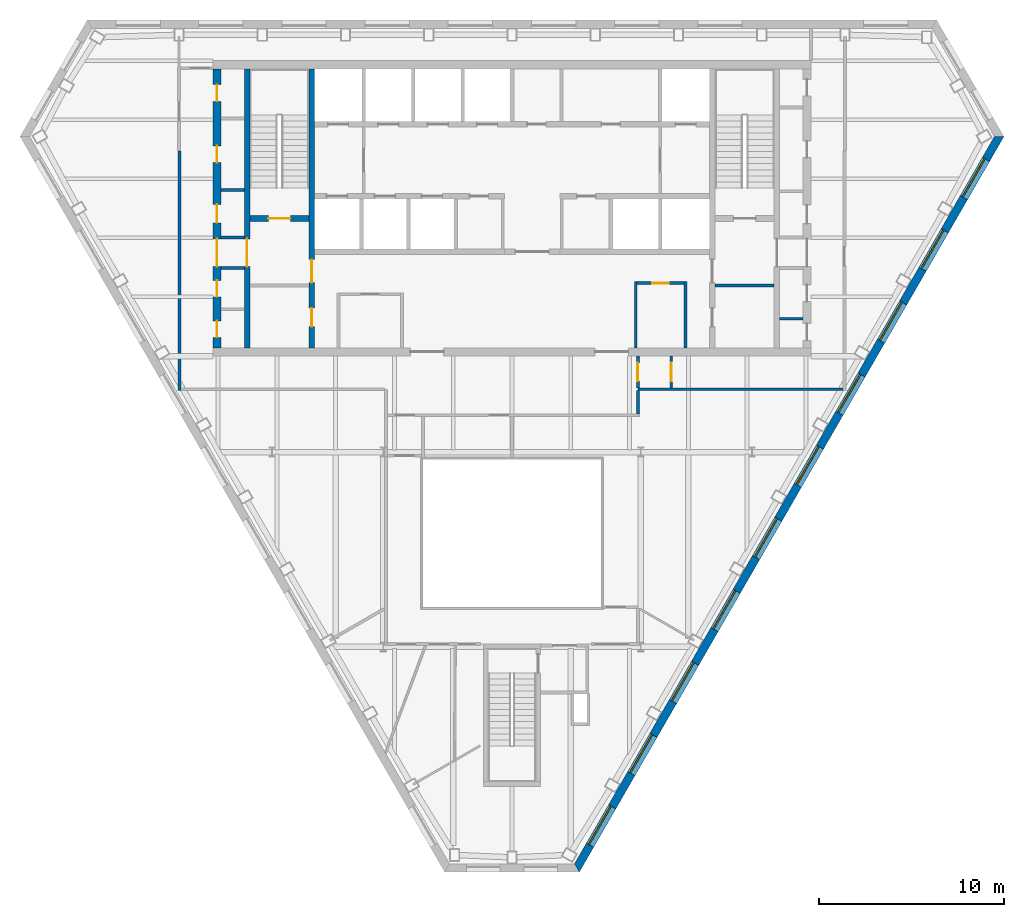
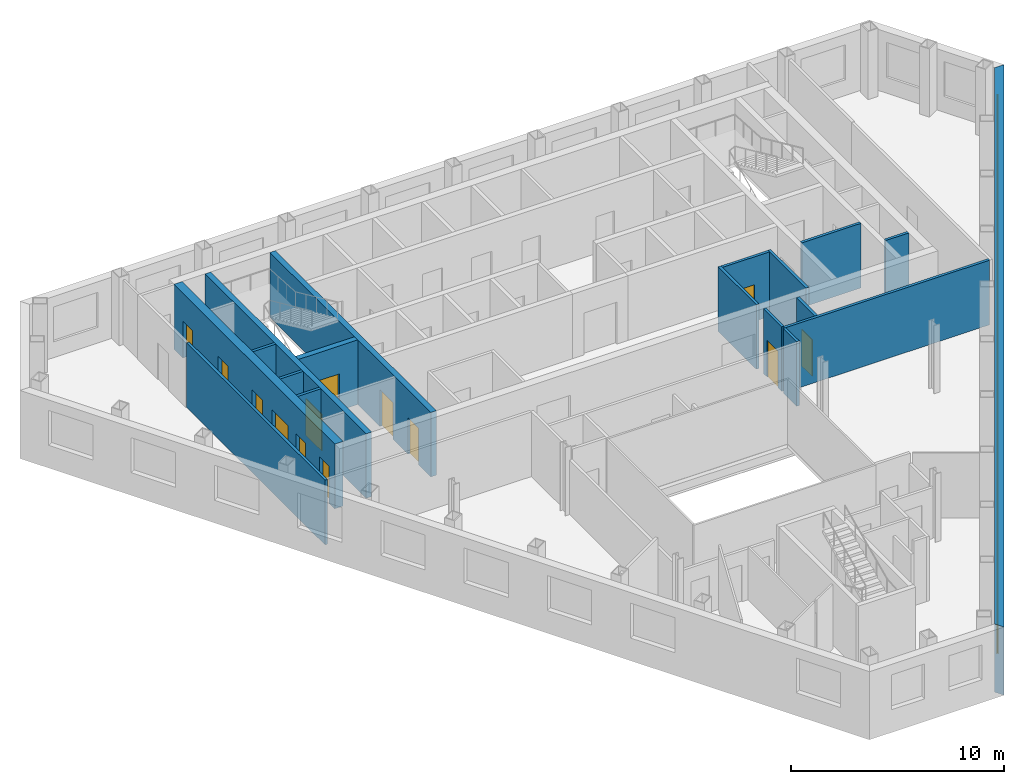
# One storey, part 5 of 11: 18 walls, 13 doors, 10 windows, 23 openings.
"""IFC4 building model written with IfcOpenShell, lengths in metres."""

from ifc_helpers import new_model, si_unit, direction, frame, frame_2d, origin, place, context, subcontext, project, spatial, polyline, rectangle, outline, extrude, material, layer, layer_set, type_object, element, fill, save


model = new_model("IFC4")

# Units and contexts
model_context = context("Model", 3, precision=1e-05, world=origin(), true_north=direction((0.0, 1.0)))
body_context = subcontext(model_context, "Body", "Model", "MODEL_VIEW")
ifc_project = project(units=[si_unit("LENGTHUNIT", "METRE"), si_unit("AREAUNIT", "SQUARE_METRE"), si_unit("VOLUMEUNIT", "CUBIC_METRE"), si_unit("PLANEANGLEUNIT", "RADIAN"), si_unit("MASSUNIT", "GRAM", prefix="KILO")], contexts=[model_context])

# Site, building, storey
site_placement = place(None, origin())
site = spatial("IfcSite", under=ifc_project, at=site_placement, CompositionType="ELEMENT")
building_placement = place(site_placement, origin())
building = spatial("IfcBuilding", under=site, at=building_placement, Name="Njiva Tower", CompositionType="ELEMENT")
storey_placement = place(building_placement, frame((0.0, 0.0, 208.2)))
storey = spatial("IfcBuildingStorey", under=building, at=storey_placement, Name="L46", CompositionType="ELEMENT", Elevation=208.2)

# Walls
ifc_material_1 = material(Name="Blockwork", Category="masonry")
ifc_layer_1 = layer(ifc_material_1, 0.15)
ifc_layer_set_1 = layer_set([ifc_layer_1], Name="Blockwork")
wall_type_1 = type_object("IfcWallType", Name="WT1 Compartment partition 150", PredefinedType="PARTITIONING", material=ifc_layer_set_1)
wall_1_placement = place(storey_placement, frame((11.0, 5.825, 0.0), z_axis=(0.0, 0.0, 1.0), x_axis=(1.0, 0.0, 0.0)))
element("IfcWall", 1, at=wall_1_placement, inside=storey, type_object=wall_type_1, Name="Room wall B", PredefinedType="PARTITIONING", context=body_context, shape_type="SweptSolid", body=[
    extrude(rectangle(XDim=3.2, YDim=0.15, at=frame_2d((1.6, 0.0))), origin(), (0.0, 0.0, 1.0), 3.7),
])
for number, where, z_axis, x_axis, name in (
    (2, (-15.75, 10.9952, 0.0), (0.0, 0.0, 1.0), (1.0, 0.0, 0.0), "Partition strip W10"),
    (3, (14.5, 4.025, 0.0), (0.0, 0.0, 1.0), (1.0, 0.0, 0.0), "Partition strip E00"),
):
    element("IfcWall", number, at=place(storey_placement, frame(where, z_axis=z_axis, x_axis=x_axis)), inside=storey, type_object=wall_type_1, Name=name, PredefinedType="PARTITIONING", context=body_context, shape_type="SweptSolid", body=[
        extrude(rectangle(XDim=1.25, YDim=0.15, at=frame_2d((0.625, 0.0))), origin(), (0.0, 0.0, 1.0), 3.7),
    ])
for number, where, z_axis, x_axis, name in (
    (4, (6.7, 2.45, 0.0), (0.0, 0.0, 1.0), (0.0, 1.0, 0.0), "Information office wall west"),
    (5, (9.4, 2.45, 0.0), (0.0, 0.0, 1.0), (0.0, 1.0, 0.0), "Information office wall east"),
):
    element("IfcWall", number, at=place(storey_placement, frame(where, z_axis=z_axis, x_axis=x_axis)), inside=storey, type_object=wall_type_1, Name=name, PredefinedType="PARTITIONING", context=body_context, shape_type="SweptSolid", body=[
        extrude(rectangle(XDim=3.575, YDim=0.15, at=frame_2d((1.7875, 0.0))), origin(), (0.0, 0.0, 1.0), 3.7),
    ])

# Wall, opening, door
wall_2_placement = place(storey_placement, frame((6.775, 5.95, 0.0), z_axis=(0.0, 0.0, 1.0), x_axis=(1.0, 0.0, 0.0)))
wall_2 = element("IfcWall", 6, at=wall_2_placement, inside=storey, type_object=wall_type_1, Name="Information office wall north", PredefinedType="PARTITIONING", context=body_context, shape_type="SweptSolid", body=[
    extrude(rectangle(XDim=2.55, YDim=0.15, at=frame_2d((1.275, 0.0))), origin(), (0.0, 0.0, 1.0), 3.7),
])
opening_1_placement = place(wall_2_placement, frame((0.825, 0.0, 0.0)))
opening_1 = element("IfcOpeningElement", 7, at=opening_1_placement, cuts=wall_2, Name="Opening S15-D936", PredefinedType="OPENING", context=body_context, shape_type="SweptSolid", body=[
    extrude(rectangle(XDim=0.9, YDim=2.1, at=frame_2d((0.45, 1.05))), frame((0.0, 0.085, 0.0), z_axis=(0.0, -1.0, 0.0), x_axis=(1.0, 0.0, 0.0)), (0.0, 0.0, 1.0), 0.17),
])
ifc_material_2 = material(Name="Steel fire door, painted", Category="steel")
door_type_1 = type_object("IfcDoorType", Name="D6 Fire-rated door 900x2100", OperationType="SINGLE_SWING_LEFT", PredefinedType="DOOR", material=ifc_material_2)
door_1_placement = place(opening_1_placement, origin())
door_1 = element("IfcDoor", 8, at=door_1_placement, inside=storey, type_object=door_type_1, Name="Information office door", OperationType="SINGLE_SWING_RIGHT", OverallHeight=2.1, OverallWidth=0.9, PredefinedType="DOOR", context=body_context, shape_type="SweptSolid", body=[
    extrude(rectangle(XDim=0.9, YDim=2.1, at=frame_2d((0.45, 1.05))), frame((0.0, 0.025, 0.0), z_axis=(0.0, -1.0, 0.0), x_axis=(1.0, 0.0, 0.0)), (0.0, 0.0, 1.0), 0.05),
])
fill(opening_1, door_1)

# Wall, openings, doors
ifc_material_3 = material(Name="Concrete C40/50", Category="concrete")
ifc_layer_2 = layer(ifc_material_3, 0.3)
ifc_layer_set_2 = layer_set([ifc_layer_2], Name="Concrete C40/50")
wall_type_2 = type_object("IfcWallType", Name="WT10 Stair enclosure wall 300", PredefinedType="SHEAR", material=ifc_layer_set_2)
wall_3_placement = place(storey_placement, frame((-10.85, 2.45, 0.0), z_axis=(0.0, 0.0, 1.0), x_axis=(0.0, 1.0, 0.0)))
wall_3 = element("IfcWall", 9, at=wall_3_placement, inside=storey, type_object=wall_type_2, Name="Stair wall west inner", PredefinedType="SHEAR", context=body_context, shape_type="SweptSolid", body=[
    extrude(rectangle(XDim=15.1, YDim=0.3, at=frame_2d((7.55, 0.0))), origin(), (0.0, 0.0, 1.0), 3.7),
])
opening_2_placement = place(wall_3_placement, frame((3.525, 0.0, 0.0)))
opening_2 = element("IfcOpeningElement", 10, at=opening_2_placement, cuts=wall_3, Name="Opening S15-D915", PredefinedType="OPENING", context=body_context, shape_type="SweptSolid", body=[
    extrude(rectangle(XDim=1.25, YDim=2.1, at=frame_2d((0.625, 1.05))), frame((0.0, 0.16, 0.0), z_axis=(0.0, -1.0, 0.0), x_axis=(1.0, 0.0, 0.0)), (0.0, 0.0, 1.0), 0.32),
])
opening_3_placement = place(wall_3_placement, frame((1.15, 0.0, 0.0)))
opening_3 = element("IfcOpeningElement", 11, at=opening_3_placement, cuts=wall_3, Name="Opening S15-D916", PredefinedType="OPENING", context=body_context, shape_type="SweptSolid", body=[
    extrude(rectangle(XDim=1.0, YDim=2.1, at=frame_2d((0.5, 1.05))), frame((0.0, 0.16, 0.0), z_axis=(0.0, -1.0, 0.0), x_axis=(1.0, 0.0, 0.0)), (0.0, 0.0, 1.0), 0.32),
])
ifc_material_4 = material(Name="Steel door, painted", Category="steel")
door_type_2 = type_object("IfcDoorType", Name="D5 Steel door 1000x2100", OperationType="SINGLE_SWING_LEFT", PredefinedType="DOOR", material=ifc_material_4)
door_2_placement = place(opening_3_placement, origin())
door_2 = element("IfcDoor", 12, at=door_2_placement, inside=storey, type_object=door_type_2, Name="Breakout room door", OperationType="SINGLE_SWING_RIGHT", OverallHeight=2.1, OverallWidth=1.0, PredefinedType="DOOR", context=body_context, shape_type="SweptSolid", body=[
    extrude(rectangle(XDim=1.0, YDim=2.1, at=frame_2d((0.5, 1.05))), frame((0.0, 0.025, 0.0), z_axis=(0.0, -1.0, 0.0), x_axis=(1.0, 0.0, 0.0)), (0.0, 0.0, 1.0), 0.05),
])
fill(opening_3, door_2)
ifc_material_5 = material(Name="Glazed steel fire door", Category="steel")
door_type_3 = type_object("IfcDoorType", Name="D8 Vestibule corridor door 1250x2100 glazed", OperationType="SINGLE_SWING_LEFT", PredefinedType="DOOR", material=ifc_material_5)
door_3_placement = place(opening_2_placement, origin())
door_3 = element("IfcDoor", 13, at=door_3_placement, inside=storey, type_object=door_type_3, Name="Stair vestibule corridor door", OperationType="SINGLE_SWING_LEFT", OverallHeight=2.1, OverallWidth=1.25, PredefinedType="DOOR", context=body_context, shape_type="SweptSolid", body=[
    extrude(rectangle(XDim=1.25, YDim=2.1, at=frame_2d((0.625, 1.05))), frame((0.0, 0.025, 0.0), z_axis=(0.0, -1.0, 0.0), x_axis=(1.0, 0.0, 0.0)), (0.0, 0.0, 1.0), 0.05),
])
fill(opening_2, door_3)

# Wall, opening, door
wall_4_placement = place(storey_placement, frame((-14.35, 2.45, 0.0), z_axis=(0.0, 0.0, 1.0), x_axis=(0.0, 1.0, 0.0)))
wall_4 = element("IfcWall", 14, at=wall_4_placement, inside=storey, type_object=wall_type_2, Name="Stair wall west outer", PredefinedType="SHEAR", context=body_context, shape_type="SweptSolid", body=[
    extrude(rectangle(XDim=15.1, YDim=0.3, at=frame_2d((7.55, 0.0))), origin(), (0.0, 0.0, 1.0), 3.7),
])
opening_4_placement = place(wall_4_placement, frame((4.4, 0.0, 0.0)))
opening_4 = element("IfcOpeningElement", 15, at=opening_4_placement, cuts=wall_4, Name="Opening S15-D921", PredefinedType="OPENING", context=body_context, shape_type="SweptSolid", body=[
    extrude(rectangle(XDim=1.5, YDim=2.1, at=frame_2d((0.75, 1.05))), frame((0.0, 0.16, 0.0), z_axis=(0.0, -1.0, 0.0), x_axis=(1.0, 0.0, 0.0)), (0.0, 0.0, 1.0), 0.32),
])
door_type_4 = type_object("IfcDoorType", Name="D10 Exit door double 1500x2100 glazed", OperationType="DOUBLE_DOOR_SINGLE_SWING", PredefinedType="DOOR", material=ifc_material_5)
door_4_placement = place(opening_4_placement, origin())
door_4 = element("IfcDoor", 16, at=door_4_placement, inside=storey, type_object=door_type_4, Name="Stair A passage door", OperationType="DOUBLE_DOOR_SINGLE_SWING", OverallHeight=2.1, OverallWidth=1.5, PredefinedType="DOOR", context=body_context, shape_type="SweptSolid", body=[
    extrude(rectangle(XDim=1.5, YDim=2.1, at=frame_2d((0.75, 1.05))), frame((0.0, 0.025, 0.0), z_axis=(0.0, -1.0, 0.0), x_axis=(1.0, 0.0, 0.0)), (0.0, 0.0, 1.0), 0.05),
])
fill(opening_4, door_4)

wall_5_placement = place(storey_placement, frame((-14.2, 9.45, 0.0), z_axis=(0.0, 0.0, 1.0), x_axis=(1.0, 0.0, 0.0)))
wall_5 = element("IfcWall", 17, at=wall_5_placement, inside=storey, type_object=wall_type_2, Name="Stair A south wall", PredefinedType="SHEAR", context=body_context, shape_type="SweptSolid", body=[
    extrude(rectangle(XDim=3.2, YDim=0.3, at=frame_2d((1.6, 0.0))), origin(), (0.0, 0.0, 1.0), 3.7),
])
opening_5_placement = place(wall_5_placement, frame((1.0, 0.0, 0.0)))
opening_5 = element("IfcOpeningElement", 18, at=opening_5_placement, cuts=wall_5, Name="Opening S15-D914", PredefinedType="OPENING", context=body_context, shape_type="SweptSolid", body=[
    extrude(rectangle(XDim=1.2, YDim=2.1, at=frame_2d((0.6, 1.05))), frame((0.0, 0.16, 0.0), z_axis=(0.0, -1.0, 0.0), x_axis=(1.0, 0.0, 0.0)), (0.0, 0.0, 1.0), 0.32),
])
door_type_5 = type_object("IfcDoorType", Name="D7 Stair vestibule door 1200x2100 glazed", OperationType="SINGLE_SWING_LEFT", PredefinedType="DOOR", material=ifc_material_5)
door_5_placement = place(opening_5_placement, origin())
door_5 = element("IfcDoor", 19, at=door_5_placement, inside=storey, type_object=door_type_5, Name="Stair A door", OperationType="SINGLE_SWING_LEFT", OverallHeight=2.1, OverallWidth=1.2, PredefinedType="DOOR", context=body_context, shape_type="SweptSolid", body=[
    extrude(rectangle(XDim=1.2, YDim=2.1, at=frame_2d((0.6, 1.05))), frame((0.0, 0.025, 0.0), z_axis=(0.0, -1.0, 0.0), x_axis=(1.0, 0.0, 0.0)), (0.0, 0.0, 1.0), 0.05),
])
fill(opening_5, door_5)

# Wall, openings, doors
ifc_material_6 = material(Name="Concrete C60/75", Category="concrete")
ifc_layer_3 = layer(ifc_material_6, 0.45)
ifc_layer_set_3 = layer_set([ifc_layer_3], Name="Concrete C60/75")
wall_type_3 = type_object("IfcWallType", Name="WT12 Core wall 450", PredefinedType="SHEAR", material=ifc_layer_set_3)
wall_6_placement = place(storey_placement, frame((-15.975, 2.45, 0.0), z_axis=(0.0, 0.0, 1.0), x_axis=(0.0, 1.0, 0.0)))
wall_6 = element("IfcWall", 20, at=wall_6_placement, inside=storey, type_object=wall_type_3, Name="Core wall west", PredefinedType="SHEAR", context=body_context, shape_type="SweptSolid", body=[
    extrude(rectangle(XDim=15.1, YDim=0.45, at=frame_2d((7.55, 0.0))), origin(), (0.0, 0.0, 1.0), 3.7),
])
opening_6_placement = place(wall_6_placement, frame((4.4, 0.0, 0.0)))
opening_6 = element("IfcOpeningElement", 21, at=opening_6_placement, cuts=wall_6, Name="Opening S15-D922", PredefinedType="OPENING", context=body_context, shape_type="SweptSolid", body=[
    extrude(rectangle(XDim=1.5, YDim=2.1, at=frame_2d((0.75, 1.05))), frame((0.0, 0.235, 0.0), z_axis=(0.0, -1.0, 0.0), x_axis=(1.0, 0.0, 0.0)), (0.0, 0.0, 1.0), 0.47),
])
opening_7_placement = place(wall_6_placement, frame((0.5557, 0.0, 0.0)))
opening_7 = element("IfcOpeningElement", 22, at=opening_7_placement, cuts=wall_6, Name="Opening S15-D923", PredefinedType="OPENING", context=body_context, shape_type="SweptSolid", body=[
    extrude(rectangle(XDim=0.9, YDim=2.1, at=frame_2d((0.45, 1.05))), frame((0.0, 0.235, 0.0), z_axis=(0.0, -1.0, 0.0), x_axis=(1.0, 0.0, 0.0)), (0.0, 0.0, 1.0), 0.47),
])
opening_8_placement = place(wall_6_placement, frame((2.7557, 0.0, 0.0)))
opening_8 = element("IfcOpeningElement", 23, at=opening_8_placement, cuts=wall_6, Name="Opening S15-D924", PredefinedType="OPENING", context=body_context, shape_type="SweptSolid", body=[
    extrude(rectangle(XDim=0.9, YDim=2.1, at=frame_2d((0.45, 1.05))), frame((0.0, 0.235, 0.0), z_axis=(0.0, -1.0, 0.0), x_axis=(1.0, 0.0, 0.0)), (0.0, 0.0, 1.0), 0.47),
])
opening_9_placement = place(wall_6_placement, frame((6.7601, 0.0, 0.0)))
opening_9 = element("IfcOpeningElement", 24, at=opening_9_placement, cuts=wall_6, Name="Opening S15-D925", PredefinedType="OPENING", context=body_context, shape_type="SweptSolid", body=[
    extrude(rectangle(XDim=1.0, YDim=2.1, at=frame_2d((0.5, 1.05))), frame((0.0, 0.235, 0.0), z_axis=(0.0, -1.0, 0.0), x_axis=(1.0, 0.0, 0.0)), (0.0, 0.0, 1.0), 0.47),
])
opening_10_placement = place(wall_6_placement, frame((10.0319, 0.0, 0.0)))
opening_10 = element("IfcOpeningElement", 25, at=opening_10_placement, cuts=wall_6, Name="Opening S15-D926", PredefinedType="OPENING", context=body_context, shape_type="SweptSolid", body=[
    extrude(rectangle(XDim=0.9, YDim=2.1, at=frame_2d((0.45, 1.05))), frame((0.0, 0.235, 0.0), z_axis=(0.0, -1.0, 0.0), x_axis=(1.0, 0.0, 0.0)), (0.0, 0.0, 1.0), 0.47),
])
opening_11_placement = place(wall_6_placement, frame((13.3468, 0.0, 0.0)))
opening_11 = element("IfcOpeningElement", 26, at=opening_11_placement, cuts=wall_6, Name="Opening S15-D927", PredefinedType="OPENING", context=body_context, shape_type="SweptSolid", body=[
    extrude(rectangle(XDim=0.9, YDim=2.1, at=frame_2d((0.45, 1.05))), frame((0.0, 0.235, 0.0), z_axis=(0.0, -1.0, 0.0), x_axis=(1.0, 0.0, 0.0)), (0.0, 0.0, 1.0), 0.47),
])
door_6_placement = place(opening_6_placement, origin())
door_6 = element("IfcDoor", 27, at=door_6_placement, inside=storey, type_object=door_type_4, Name="Stair A corridor door", OperationType="DOUBLE_DOOR_SINGLE_SWING", OverallHeight=2.1, OverallWidth=1.5, PredefinedType="DOOR", context=body_context, shape_type="SweptSolid", body=[
    extrude(rectangle(XDim=1.5, YDim=2.1, at=frame_2d((0.75, 1.05))), frame((0.0, 0.025, 0.0), z_axis=(0.0, -1.0, 0.0), x_axis=(1.0, 0.0, 0.0)), (0.0, 0.0, 1.0), 0.05),
])
fill(opening_6, door_6)
door_type_6 = type_object("IfcDoorType", Name="D4 Riser door 900x2100", OperationType="SINGLE_SWING_LEFT", PredefinedType="DOOR", material=ifc_material_4)
door_7_placement = place(opening_11_placement, origin())
door_7 = element("IfcDoor", 28, at=door_7_placement, inside=storey, type_object=door_type_6, Name="Cable riser door", OperationType="SINGLE_SWING_LEFT", OverallHeight=2.1, OverallWidth=0.9, PredefinedType="DOOR", context=body_context, shape_type="SweptSolid", body=[
    extrude(rectangle(XDim=0.9, YDim=2.1, at=frame_2d((0.45, 1.05))), frame((0.0, 0.025, 0.0), z_axis=(0.0, -1.0, 0.0), x_axis=(1.0, 0.0, 0.0)), (0.0, 0.0, 1.0), 0.05),
])
fill(opening_11, door_7)
door_8_placement = place(opening_9_placement, origin())
door_8 = element("IfcDoor", 29, at=door_8_placement, inside=storey, type_object=door_type_2, Name="Telecoms room door", OperationType="SINGLE_SWING_RIGHT", OverallHeight=2.1, OverallWidth=1.0, PredefinedType="DOOR", context=body_context, shape_type="SweptSolid", body=[
    extrude(rectangle(XDim=1.0, YDim=2.1, at=frame_2d((0.5, 1.05))), frame((0.0, 0.025, 0.0), z_axis=(0.0, -1.0, 0.0), x_axis=(1.0, 0.0, 0.0)), (0.0, 0.0, 1.0), 0.05),
])
fill(opening_9, door_8)
door_9_placement = place(opening_7_placement, origin())
door_9 = element("IfcDoor", 30, at=door_9_placement, inside=storey, type_object=door_type_1, Name="Cable store door", OperationType="SINGLE_SWING_RIGHT", OverallHeight=2.1, OverallWidth=0.9, PredefinedType="DOOR", context=body_context, shape_type="SweptSolid", body=[
    extrude(rectangle(XDim=0.9, YDim=2.1, at=frame_2d((0.45, 1.05))), frame((0.0, 0.025, 0.0), z_axis=(0.0, -1.0, 0.0), x_axis=(1.0, 0.0, 0.0)), (0.0, 0.0, 1.0), 0.05),
])
fill(opening_7, door_9)
door_10_placement = place(opening_8_placement, origin())
door_10 = element("IfcDoor", 31, at=door_10_placement, inside=storey, type_object=door_type_1, Name="Cable store door", OperationType="SINGLE_SWING_RIGHT", OverallHeight=2.1, OverallWidth=0.9, PredefinedType="DOOR", context=body_context, shape_type="SweptSolid", body=[
    extrude(rectangle(XDim=0.9, YDim=2.1, at=frame_2d((0.45, 1.05))), frame((0.0, 0.025, 0.0), z_axis=(0.0, -1.0, 0.0), x_axis=(1.0, 0.0, 0.0)), (0.0, 0.0, 1.0), 0.05),
])
fill(opening_8, door_10)
door_11_placement = place(opening_10_placement, origin())
door_11 = element("IfcDoor", 32, at=door_11_placement, inside=storey, type_object=door_type_1, Name="Cable store door", OperationType="SINGLE_SWING_LEFT", OverallHeight=2.1, OverallWidth=0.9, PredefinedType="DOOR", context=body_context, shape_type="SweptSolid", body=[
    extrude(rectangle(XDim=0.9, YDim=2.1, at=frame_2d((0.45, 1.05))), frame((0.0, 0.025, 0.0), z_axis=(0.0, -1.0, 0.0), x_axis=(1.0, 0.0, 0.0)), (0.0, 0.0, 1.0), 0.05),
])
fill(opening_10, door_11)

# Walls
ifc_material_7 = material(Name="Gypsum board on steel studs", Category="gypsum")
ifc_layer_4 = layer(ifc_material_7, 0.15)
ifc_layer_set_4 = layer_set([ifc_layer_4], Name="Gypsum board on steel studs")
wall_type_4 = type_object("IfcWallType", Name="WT21 Compartment wall 150", PredefinedType="PARTITIONING", material=ifc_layer_set_4)
wall_7_placement = place(storey_placement, frame((-18.0, 0.125, 0.0), z_axis=(0.0, 0.0, 1.0), x_axis=(0.0, 1.0, 0.0)))
element("IfcWall", 33, at=wall_7_placement, inside=storey, type_object=wall_type_4, Name="Partition S15-P003", PredefinedType="PARTITIONING", context=body_context, shape_type="SweptSolid", body=[
    extrude(rectangle(XDim=12.98, YDim=0.15, at=frame_2d((6.49, 0.0))), origin(), (0.0, 0.0, 1.0), 3.7),
])
wall_8_placement = place(storey_placement, frame((6.82, -1.125, 0.0), z_axis=(0.0, 0.0, 1.0), x_axis=(0.0, 1.0, 0.0)))
element("IfcWall", 34, at=wall_8_placement, inside=storey, type_object=wall_type_4, Name="Partition S15-P020", PredefinedType="PARTITIONING", context=body_context, shape_type="SweptSolid", body=[
    extrude(rectangle(XDim=1.25, YDim=0.15, at=frame_2d((0.625, 0.0))), origin(), (0.0, 0.0, 1.0), 3.7),
])

# Wall, opening, door
wall_9_placement = place(storey_placement, frame((6.82, 0.275, 0.0), z_axis=(0.0, 0.0, 1.0), x_axis=(0.0, 1.0, 0.0)))
wall_9 = element("IfcWall", 35, at=wall_9_placement, inside=storey, type_object=wall_type_4, Name="Partition S15-P021", PredefinedType="PARTITIONING", context=body_context, shape_type="SweptSolid", body=[
    extrude(rectangle(XDim=1.725, YDim=0.15, at=frame_2d((0.8625, 0.0))), origin(), (0.0, 0.0, 1.0), 3.7),
])
opening_12_placement = place(wall_9_placement, frame((0.362, 0.0, 0.0)))
opening_12 = element("IfcOpeningElement", 36, at=opening_12_placement, cuts=wall_9, Name="Opening S15-D011", PredefinedType="OPENING", context=body_context, shape_type="SweptSolid", body=[
    extrude(rectangle(XDim=1.0, YDim=2.1, at=frame_2d((0.5, 1.05))), frame((0.0, 0.085, 0.0), z_axis=(0.0, -1.0, 0.0), x_axis=(1.0, 0.0, 0.0)), (0.0, 0.0, 1.0), 0.17),
])
ifc_material_8 = material(Name="Steel fire door set", Category="steel")
door_type_7 = type_object("IfcDoorType", Name="D37 Fire door 1000x2100", OperationType="SINGLE_SWING_LEFT", PredefinedType="DOOR", material=ifc_material_8)
door_12_placement = place(opening_12_placement, origin())
door_12 = element("IfcDoor", 37, at=door_12_placement, inside=storey, type_object=door_type_7, Name="Door S15-D011", OperationType="SINGLE_SWING_LEFT", OverallHeight=2.1, OverallWidth=1.0, PredefinedType="DOOR", context=body_context, shape_type="SweptSolid", body=[
    extrude(rectangle(XDim=1.0, YDim=2.1, at=frame_2d((0.5, 1.05))), frame((0.0, 0.025, 0.0), z_axis=(0.0, -1.0, 0.0), x_axis=(1.0, 0.0, 0.0)), (0.0, 0.0, 1.0), 0.05),
])
fill(opening_12, door_12)

# Wall
wall_10_placement = place(storey_placement, frame((6.824, 0.2, 0.0), z_axis=(0.0, 0.0, 1.0), x_axis=(1.0, 0.0, 0.0)))
element("IfcWall", 38, at=wall_10_placement, inside=storey, type_object=wall_type_4, Name="Partition S15-P022", PredefinedType="PARTITIONING", context=body_context, shape_type="SweptSolid", body=[
    extrude(rectangle(XDim=11.101, YDim=0.15, at=frame_2d((5.5505, 0.0))), origin(), (0.0, 0.0, 1.0), 3.7),
])

# Wall, opening, door
wall_11_placement = place(storey_placement, frame((8.62, 0.275, 0.0), z_axis=(0.0, 0.0, 1.0), x_axis=(0.0, 1.0, 0.0)))
wall_11 = element("IfcWall", 39, at=wall_11_placement, inside=storey, type_object=wall_type_4, Name="Partition S15-P024", PredefinedType="PARTITIONING", context=body_context, shape_type="SweptSolid", body=[
    extrude(rectangle(XDim=1.725, YDim=0.15, at=frame_2d((0.8625, 0.0))), origin(), (0.0, 0.0, 1.0), 3.7),
])
opening_13_placement = place(wall_11_placement, frame((0.363, 0.0, 0.0)))
opening_13 = element("IfcOpeningElement", 40, at=opening_13_placement, cuts=wall_11, Name="Opening S15-D012", PredefinedType="OPENING", context=body_context, shape_type="SweptSolid", body=[
    extrude(rectangle(XDim=1.0, YDim=2.1, at=frame_2d((0.5, 1.05))), frame((0.0, 0.085, 0.0), z_axis=(0.0, -1.0, 0.0), x_axis=(1.0, 0.0, 0.0)), (0.0, 0.0, 1.0), 0.17),
])
door_13_placement = place(opening_13_placement, origin())
door_13 = element("IfcDoor", 41, at=door_13_placement, inside=storey, type_object=door_type_7, Name="Door S15-D012", OperationType="SINGLE_SWING_RIGHT", OverallHeight=2.1, OverallWidth=1.0, PredefinedType="DOOR", context=body_context, shape_type="SweptSolid", body=[
    extrude(rectangle(XDim=1.0, YDim=2.1, at=frame_2d((0.5, 1.05))), frame((0.0, 0.025, 0.0), z_axis=(0.0, -1.0, 0.0), x_axis=(1.0, 0.0, 0.0)), (0.0, 0.0, 1.0), 0.05),
])
fill(opening_13, door_13)

# Walls
ifc_layer_5 = layer(ifc_material_1, 0.15)
ifc_layer_set_5 = layer_set([ifc_layer_5], Name="Blockwork")
wall_type_5 = type_object("IfcWallType", Name="WT4 Stair partition 150", PredefinedType="PARTITIONING", material=ifc_layer_set_5)
for number, where, z_axis, x_axis, name in (
    (42, (-15.75, 6.775, 0.0), (0.0, 0.0, 1.0), (1.0, 0.0, 0.0), "Stair A exit passage wall south"),
    (43, (-15.75, 8.425, 0.0), (0.0, 0.0, 1.0), (1.0, 0.0, 0.0), "Stair A exit passage wall north"),
):
    element("IfcWall", number, at=place(storey_placement, frame(where, z_axis=z_axis, x_axis=x_axis)), inside=storey, type_object=wall_type_5, Name=name, PredefinedType="PARTITIONING", context=body_context, shape_type="SweptSolid", body=[
        extrude(rectangle(XDim=1.25, YDim=0.15, at=frame_2d((0.625, 0.0))), origin(), (0.0, 0.0, 1.0), 3.7),
    ])

# Wall, openings, windows
ifc_material_9 = material(Name="Brick masonry", Category="masonry")
ifc_layer_6 = layer(ifc_material_9, 0.45)
ifc_layer_set_6 = layer_set([ifc_layer_6], Name="Brick masonry")
wall_type_6 = type_object("IfcWallType", Name="WT90 Brick pier and spandrel wall 450", PredefinedType="SOLIDWALL", material=ifc_layer_set_6)
wall_12_placement = place(storey_placement, frame((3.5151, -25.7255, -0.4), z_axis=(0.0, 0.0, 1.0), x_axis=(0.499999764979, 0.866025539474, 0.0)))
wall_12 = element("IfcWall", 44, at=wall_12_placement, inside=storey, type_object=wall_type_6, Name="Facade wall SE", PredefinedType="SOLIDWALL", context=body_context, shape_type="SweptSolid", body=[
    extrude(outline(polyline([(-0.1299, -0.225), (45.8701, -0.225), (45.6103, 0.225), (0.1299, 0.225), (-0.1299, -0.225)])), origin(), (0.0, 0.0, 1.0), 3.9),
])
opening_14_placement = place(wall_12_placement, frame((1.4242, 0.0, 1.3)))
opening_14 = element("IfcOpeningElement", 45, at=opening_14_placement, cuts=wall_12, Name="Opening S15-W23", PredefinedType="OPENING", context=body_context, shape_type="SweptSolid", body=[
    extrude(rectangle(XDim=2.4, YDim=2.0, at=frame_2d((1.2, 1.0))), frame((0.0, 0.235, 0.0), z_axis=(0.0, -1.0, 0.0), x_axis=(1.0, 0.0, 0.0)), (0.0, 0.0, 1.0), 0.47),
])
opening_15_placement = place(wall_12_placement, frame((5.8934, 0.0, 1.3)))
opening_15 = element("IfcOpeningElement", 46, at=opening_15_placement, cuts=wall_12, Name="Opening S15-W24", PredefinedType="OPENING", context=body_context, shape_type="SweptSolid", body=[
    extrude(rectangle(XDim=2.4, YDim=2.0, at=frame_2d((1.2, 1.0))), frame((0.0, 0.235, 0.0), z_axis=(0.0, -1.0, 0.0), x_axis=(1.0, 0.0, 0.0)), (0.0, 0.0, 1.0), 0.47),
])
opening_16_placement = place(wall_12_placement, frame((10.401, 0.0, 1.3)))
opening_16 = element("IfcOpeningElement", 47, at=opening_16_placement, cuts=wall_12, Name="Opening S15-W25", PredefinedType="OPENING", context=body_context, shape_type="SweptSolid", body=[
    extrude(rectangle(XDim=2.4, YDim=2.0, at=frame_2d((1.2, 1.0))), frame((0.0, 0.235, 0.0), z_axis=(0.0, -1.0, 0.0), x_axis=(1.0, 0.0, 0.0)), (0.0, 0.0, 1.0), 0.47),
])
opening_17_placement = place(wall_12_placement, frame((14.9087, 0.0, 1.3)))
opening_17 = element("IfcOpeningElement", 48, at=opening_17_placement, cuts=wall_12, Name="Opening S15-W26", PredefinedType="OPENING", context=body_context, shape_type="SweptSolid", body=[
    extrude(rectangle(XDim=2.4, YDim=2.0, at=frame_2d((1.2, 1.0))), frame((0.0, 0.235, 0.0), z_axis=(0.0, -1.0, 0.0), x_axis=(1.0, 0.0, 0.0)), (0.0, 0.0, 1.0), 0.47),
])
opening_18_placement = place(wall_12_placement, frame((19.4163, 0.0, 1.3)))
opening_18 = element("IfcOpeningElement", 49, at=opening_18_placement, cuts=wall_12, Name="Opening S15-W27", PredefinedType="OPENING", context=body_context, shape_type="SweptSolid", body=[
    extrude(rectangle(XDim=2.4, YDim=2.0, at=frame_2d((1.2, 1.0))), frame((0.0, 0.235, 0.0), z_axis=(0.0, -1.0, 0.0), x_axis=(1.0, 0.0, 0.0)), (0.0, 0.0, 1.0), 0.47),
])
opening_19_placement = place(wall_12_placement, frame((23.9239, 0.0, 1.3)))
opening_19 = element("IfcOpeningElement", 50, at=opening_19_placement, cuts=wall_12, Name="Opening S15-W28", PredefinedType="OPENING", context=body_context, shape_type="SweptSolid", body=[
    extrude(rectangle(XDim=2.4, YDim=2.0, at=frame_2d((1.2, 1.0))), frame((0.0, 0.235, 0.0), z_axis=(0.0, -1.0, 0.0), x_axis=(1.0, 0.0, 0.0)), (0.0, 0.0, 1.0), 0.47),
])
opening_20_placement = place(wall_12_placement, frame((28.4315, 0.0, 1.3)))
opening_20 = element("IfcOpeningElement", 51, at=opening_20_placement, cuts=wall_12, Name="Opening S15-W29", PredefinedType="OPENING", context=body_context, shape_type="SweptSolid", body=[
    extrude(rectangle(XDim=2.4, YDim=2.0, at=frame_2d((1.2, 1.0))), frame((0.0, 0.235, 0.0), z_axis=(0.0, -1.0, 0.0), x_axis=(1.0, 0.0, 0.0)), (0.0, 0.0, 1.0), 0.47),
])
opening_21_placement = place(wall_12_placement, frame((32.9391, 0.0, 1.3)))
opening_21 = element("IfcOpeningElement", 52, at=opening_21_placement, cuts=wall_12, Name="Opening S15-W30", PredefinedType="OPENING", context=body_context, shape_type="SweptSolid", body=[
    extrude(rectangle(XDim=2.4, YDim=2.0, at=frame_2d((1.2, 1.0))), frame((0.0, 0.235, 0.0), z_axis=(0.0, -1.0, 0.0), x_axis=(1.0, 0.0, 0.0)), (0.0, 0.0, 1.0), 0.47),
])
opening_22_placement = place(wall_12_placement, frame((37.4468, 0.0, 1.3)))
opening_22 = element("IfcOpeningElement", 53, at=opening_22_placement, cuts=wall_12, Name="Opening S15-W31", PredefinedType="OPENING", context=body_context, shape_type="SweptSolid", body=[
    extrude(rectangle(XDim=2.4, YDim=2.0, at=frame_2d((1.2, 1.0))), frame((0.0, 0.235, 0.0), z_axis=(0.0, -1.0, 0.0), x_axis=(1.0, 0.0, 0.0)), (0.0, 0.0, 1.0), 0.47),
])
opening_23_placement = place(wall_12_placement, frame((41.916, 0.0, 1.3)))
opening_23 = element("IfcOpeningElement", 54, at=opening_23_placement, cuts=wall_12, Name="Opening S15-W32", PredefinedType="OPENING", context=body_context, shape_type="SweptSolid", body=[
    extrude(rectangle(XDim=2.4, YDim=2.0, at=frame_2d((1.2, 1.0))), frame((0.0, 0.235, 0.0), z_axis=(0.0, -1.0, 0.0), x_axis=(1.0, 0.0, 0.0)), (0.0, 0.0, 1.0), 0.47),
])
ifc_material_10 = material(Name="Clear glazing in aluminium frame", Category="aluminium")
window_type = type_object("IfcWindowType", Name="W90 Deep-set window 2400x2000", PartitioningType="SINGLE_PANEL", PredefinedType="WINDOW", material=ifc_material_10)
window_1_placement = place(opening_14_placement, origin())
window_1 = element("IfcWindow", 55, at=window_1_placement, inside=storey, type_object=window_type, Name="Window", OverallHeight=2.0, OverallWidth=2.4, PartitioningType="SINGLE_PANEL", PredefinedType="WINDOW", context=body_context, shape_type="SweptSolid", body=[
    extrude(rectangle(XDim=2.4, YDim=2.0, at=frame_2d((1.2, 1.0))), frame((0.0, 0.105, 0.0), z_axis=(0.0, -1.0, 0.0), x_axis=(1.0, 0.0, 0.0)), (0.0, 0.0, 1.0), 0.06),
])
fill(opening_14, window_1)
window_2_placement = place(opening_15_placement, origin())
window_2 = element("IfcWindow", 56, at=window_2_placement, inside=storey, type_object=window_type, Name="Window", OverallHeight=2.0, OverallWidth=2.4, PartitioningType="SINGLE_PANEL", PredefinedType="WINDOW", context=body_context, shape_type="SweptSolid", body=[
    extrude(rectangle(XDim=2.4, YDim=2.0, at=frame_2d((1.2, 1.0))), frame((0.0, 0.105, 0.0), z_axis=(0.0, -1.0, 0.0), x_axis=(1.0, 0.0, 0.0)), (0.0, 0.0, 1.0), 0.06),
])
fill(opening_15, window_2)
window_3_placement = place(opening_16_placement, origin())
window_3 = element("IfcWindow", 57, at=window_3_placement, inside=storey, type_object=window_type, Name="Window", OverallHeight=2.0, OverallWidth=2.4, PartitioningType="SINGLE_PANEL", PredefinedType="WINDOW", context=body_context, shape_type="SweptSolid", body=[
    extrude(rectangle(XDim=2.4, YDim=2.0, at=frame_2d((1.2, 1.0))), frame((0.0, 0.105, 0.0), z_axis=(0.0, -1.0, 0.0), x_axis=(1.0, 0.0, 0.0)), (0.0, 0.0, 1.0), 0.06),
])
fill(opening_16, window_3)
window_4_placement = place(opening_17_placement, origin())
window_4 = element("IfcWindow", 58, at=window_4_placement, inside=storey, type_object=window_type, Name="Window", OverallHeight=2.0, OverallWidth=2.4, PartitioningType="SINGLE_PANEL", PredefinedType="WINDOW", context=body_context, shape_type="SweptSolid", body=[
    extrude(rectangle(XDim=2.4, YDim=2.0, at=frame_2d((1.2, 1.0))), frame((0.0, 0.105, 0.0), z_axis=(0.0, -1.0, 0.0), x_axis=(1.0, 0.0, 0.0)), (0.0, 0.0, 1.0), 0.06),
])
fill(opening_17, window_4)
window_5_placement = place(opening_18_placement, origin())
window_5 = element("IfcWindow", 59, at=window_5_placement, inside=storey, type_object=window_type, Name="Window", OverallHeight=2.0, OverallWidth=2.4, PartitioningType="SINGLE_PANEL", PredefinedType="WINDOW", context=body_context, shape_type="SweptSolid", body=[
    extrude(rectangle(XDim=2.4, YDim=2.0, at=frame_2d((1.2, 1.0))), frame((0.0, 0.105, 0.0), z_axis=(0.0, -1.0, 0.0), x_axis=(1.0, 0.0, 0.0)), (0.0, 0.0, 1.0), 0.06),
])
fill(opening_18, window_5)
window_6_placement = place(opening_19_placement, origin())
window_6 = element("IfcWindow", 60, at=window_6_placement, inside=storey, type_object=window_type, Name="Window", OverallHeight=2.0, OverallWidth=2.4, PartitioningType="SINGLE_PANEL", PredefinedType="WINDOW", context=body_context, shape_type="SweptSolid", body=[
    extrude(rectangle(XDim=2.4, YDim=2.0, at=frame_2d((1.2, 1.0))), frame((0.0, 0.105, 0.0), z_axis=(0.0, -1.0, 0.0), x_axis=(1.0, 0.0, 0.0)), (0.0, 0.0, 1.0), 0.06),
])
fill(opening_19, window_6)
window_7_placement = place(opening_20_placement, origin())
window_7 = element("IfcWindow", 61, at=window_7_placement, inside=storey, type_object=window_type, Name="Window", OverallHeight=2.0, OverallWidth=2.4, PartitioningType="SINGLE_PANEL", PredefinedType="WINDOW", context=body_context, shape_type="SweptSolid", body=[
    extrude(rectangle(XDim=2.4, YDim=2.0, at=frame_2d((1.2, 1.0))), frame((0.0, 0.105, 0.0), z_axis=(0.0, -1.0, 0.0), x_axis=(1.0, 0.0, 0.0)), (0.0, 0.0, 1.0), 0.06),
])
fill(opening_20, window_7)
window_8_placement = place(opening_21_placement, origin())
window_8 = element("IfcWindow", 62, at=window_8_placement, inside=storey, type_object=window_type, Name="Window", OverallHeight=2.0, OverallWidth=2.4, PartitioningType="SINGLE_PANEL", PredefinedType="WINDOW", context=body_context, shape_type="SweptSolid", body=[
    extrude(rectangle(XDim=2.4, YDim=2.0, at=frame_2d((1.2, 1.0))), frame((0.0, 0.105, 0.0), z_axis=(0.0, -1.0, 0.0), x_axis=(1.0, 0.0, 0.0)), (0.0, 0.0, 1.0), 0.06),
])
fill(opening_21, window_8)
window_9_placement = place(opening_22_placement, origin())
window_9 = element("IfcWindow", 63, at=window_9_placement, inside=storey, type_object=window_type, Name="Window", OverallHeight=2.0, OverallWidth=2.4, PartitioningType="SINGLE_PANEL", PredefinedType="WINDOW", context=body_context, shape_type="SweptSolid", body=[
    extrude(rectangle(XDim=2.4, YDim=2.0, at=frame_2d((1.2, 1.0))), frame((0.0, 0.105, 0.0), z_axis=(0.0, -1.0, 0.0), x_axis=(1.0, 0.0, 0.0)), (0.0, 0.0, 1.0), 0.06),
])
fill(opening_22, window_9)
window_10_placement = place(opening_23_placement, origin())
window_10 = element("IfcWindow", 64, at=window_10_placement, inside=storey, type_object=window_type, Name="Window", OverallHeight=2.0, OverallWidth=2.4, PartitioningType="SINGLE_PANEL", PredefinedType="WINDOW", context=body_context, shape_type="SweptSolid", body=[
    extrude(rectangle(XDim=2.4, YDim=2.0, at=frame_2d((1.2, 1.0))), frame((0.0, 0.105, 0.0), z_axis=(0.0, -1.0, 0.0), x_axis=(1.0, 0.0, 0.0)), (0.0, 0.0, 1.0), 0.06),
])
fill(opening_23, window_10)

save(model, "model.ifc")
